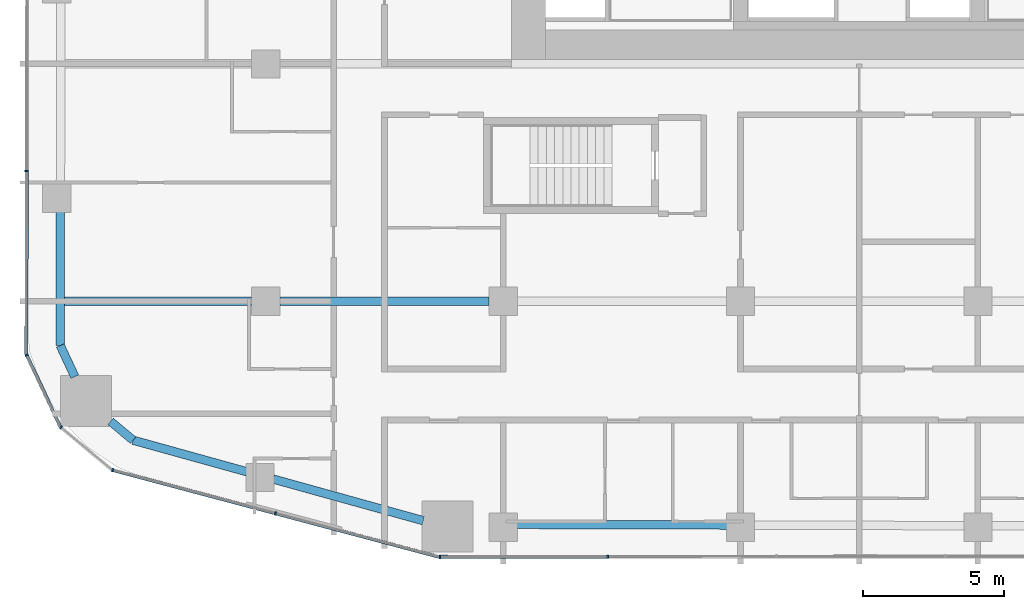
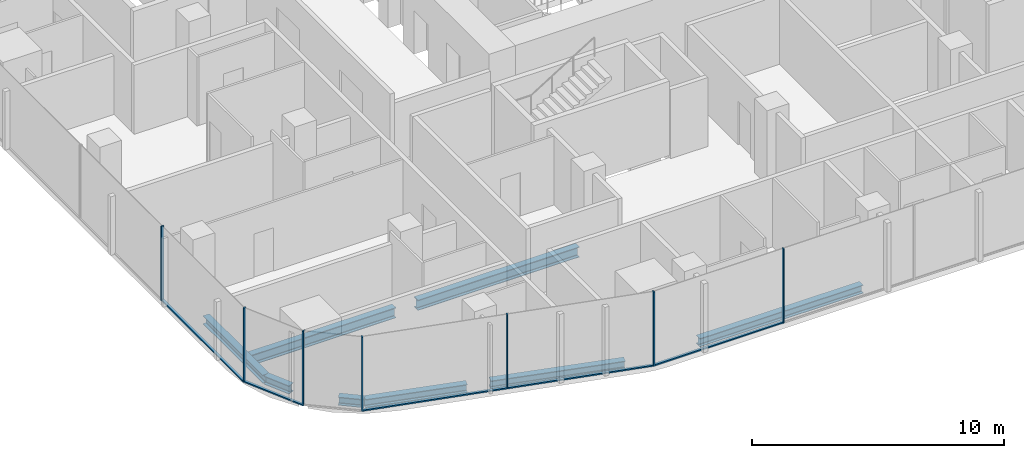
# One storey, part 2 of 26: 12 members, 8 beams, 5 elements without a shape of their own.
"""IFC4 building model written with IfcOpenShell, lengths in metres."""

from ifc_helpers import new_model, si_unit, direction, frame, origin, origin_2d, place, context, subcontext, project, spatial, rectangle, i_section, extrude, material, layer, layer_set, material_profile, profile_set, type_object, element, aggregate, save


model = new_model("IFC4")

# Units and contexts
model_context = context("Model", 3, precision=1e-05, world=origin(), true_north=direction((0.0, 1.0)))
body_context = subcontext(model_context, "Body", "Model", "MODEL_VIEW")
ifc_project = project(units=[si_unit("LENGTHUNIT", "METRE"), si_unit("AREAUNIT", "SQUARE_METRE"), si_unit("VOLUMEUNIT", "CUBIC_METRE"), si_unit("PLANEANGLEUNIT", "RADIAN"), si_unit("MASSUNIT", "GRAM", prefix="KILO")], contexts=[model_context])

# Site, building, storey
site_placement = place(None, origin())
site = spatial("IfcSite", under=ifc_project, at=site_placement, CompositionType="ELEMENT")
building_placement = place(site_placement, origin())
building = spatial("IfcBuilding", under=site, at=building_placement, Name="Marenta Gate Hotel Tower", CompositionType="ELEMENT")
storey_placement = place(building_placement, frame((0.0, 0.0, 65.300048828125)))
storey = spatial("IfcBuildingStorey", under=building, at=storey_placement, Name="L14", CompositionType="ELEMENT", Elevation=65.300048828125)

# Beams
ifc_material_1 = material(Name="Steel S355", Category="steel")
ifc_material_profile_1 = material_profile(ifc_material_1, i_section(OverallWidth=0.300048828125, OverallDepth=0.39990234375, WebThickness=0.013427734375, FlangeThickness=0.02392578125, FilletRadius=0.027099609375, at=origin_2d()), Name="HEB 400")
ifc_profile_set_1 = profile_set([ifc_material_profile_1], Name="Steel S355")
beam_type_1 = type_object("IfcBeamType", Name="Edge beam HEB 400", PredefinedType="SPANDREL", material=ifc_profile_set_1)
beam_1_placement = place(storey_placement, frame((-15.427734375, -16.166748046875, -0.4599609375), z_axis=(-0.963623684238, 0.267262782998, 0.0), x_axis=(-0.267262782998, -0.963623684238, 0.0)))
element("IfcBeam", 1, at=beam_1_placement, inside=storey, type_object=beam_type_1, Name="L14-EB-1", PredefinedType="SPANDREL", context=body_context, shape_type="SweptSolid", body=[
    extrude(i_section(OverallWidth=0.300048828125, OverallDepth=0.39990234375, WebThickness=0.013427734375, FlangeThickness=0.02392578125, FilletRadius=0.027099609375, at=origin_2d()), origin(), (0.0, 0.0, 1.0), 5.518310546875),
])
beam_2_placement = place(storey_placement, frame((-21.668212890625, -14.43603515625, -0.4599609375), z_axis=(-0.963617403201, 0.267285428426, 0.0), x_axis=(-0.267285428426, -0.963617403201, 0.0)))
element("IfcBeam", 2, at=beam_2_placement, inside=storey, type_object=beam_type_1, Name="L14-EB-2", PredefinedType="SPANDREL", context=body_context, shape_type="SweptSolid", body=[
    extrude(i_section(OverallWidth=0.300048828125, OverallDepth=0.39990234375, WebThickness=0.013427734375, FlangeThickness=0.02392578125, FilletRadius=0.027099609375, at=origin_2d()), origin(), (0.0, 0.0, 1.0), 4.1806640625),
])
beam_3_placement = place(storey_placement, frame((-25.69677734375, -13.318603515625, -0.4599609375), z_axis=(-0.767179911534, 0.641431978731, 0.0), x_axis=(-0.641431978731, -0.767179911534, 0.0)))
element("IfcBeam", 3, at=beam_3_placement, inside=storey, type_object=beam_type_1, Name="L14-EB-3", PredefinedType="SPANDREL", context=body_context, shape_type="SweptSolid", body=[
    extrude(i_section(OverallWidth=0.300048828125, OverallDepth=0.39990234375, WebThickness=0.013427734375, FlangeThickness=0.02392578125, FilletRadius=0.027099609375, at=origin_2d()), origin(), (0.0, 0.0, 1.0), 1.038818359375),
])
beam_4_placement = place(storey_placement, frame((-27.76025390625, -11.0693359375, -0.4599609375), z_axis=(-0.423291965192, 0.905993329006, 0.0), x_axis=(-0.905993329006, -0.423291965192, 0.0)))
element("IfcBeam", 4, at=beam_4_placement, inside=storey, type_object=beam_type_1, Name="L14-EB-4", PredefinedType="SPANDREL", context=body_context, shape_type="SweptSolid", body=[
    extrude(i_section(OverallWidth=0.300048828125, OverallDepth=0.39990234375, WebThickness=0.013427734375, FlangeThickness=0.02392578125, FilletRadius=0.027099609375, at=origin_2d()), origin(), (0.0, 0.0, 1.0), 1.21630859375),
])
beam_5_placement = place(storey_placement, frame((-28.275146484375, -9.96728515625, -0.4599609375), z_axis=(0.001386177947, 0.999999039255, 0.0), x_axis=(-0.999999039255, 0.001386177947, 0.0)))
element("IfcBeam", 5, at=beam_5_placement, inside=storey, type_object=beam_type_1, Name="L14-EB-5", PredefinedType="SPANDREL", context=body_context, shape_type="SweptSolid", body=[
    extrude(i_section(OverallWidth=0.300048828125, OverallDepth=0.39990234375, WebThickness=0.013427734375, FlangeThickness=0.02392578125, FilletRadius=0.027099609375, at=origin_2d()), origin(), (0.0, 0.0, 1.0), 4.75537109375),
])
beam_6_placement = place(storey_placement, frame((-4.659912109375, -16.31982421875, -0.4599609375), z_axis=(-0.999996151562, 0.002774321851, 0.0), x_axis=(-0.002774321851, -0.999996151562, 0.0)))
element("IfcBeam", 6, at=beam_6_placement, inside=storey, type_object=beam_type_1, Name="L14-EB-34", PredefinedType="SPANDREL", context=body_context, shape_type="SweptSolid", body=[
    extrude(i_section(OverallWidth=0.300048828125, OverallDepth=0.39990234375, WebThickness=0.013427734375, FlangeThickness=0.02392578125, FilletRadius=0.027099609375, at=origin_2d()), origin(), (0.0, 0.0, 1.0), 7.47998046875),
])
ifc_material_2 = material(Name="Steel S355", Category="steel")
ifc_material_profile_2 = material_profile(ifc_material_2, i_section(OverallWidth=0.300048828125, OverallDepth=0.5, WebThickness=0.014404296875, FlangeThickness=0.028076171875, FilletRadius=0.027099609375, at=origin_2d()), Name="HEB 500")
ifc_profile_set_2 = profile_set([ifc_material_profile_2], Name="Steel S355")
beam_type_2 = type_object("IfcBeamType", Name="Girder HEB 500", PredefinedType="BEAM", material=ifc_profile_set_2)
beam_7_placement = place(storey_placement, frame((-28.123046875, -8.39990234375, -0.510009765625), z_axis=(1.0, 0.0, 0.0), x_axis=(0.0, 1.0, 0.0)))
element("IfcBeam", 7, at=beam_7_placement, inside=storey, type_object=beam_type_2, Name="L14-GD-1", PredefinedType="BEAM", context=body_context, shape_type="SweptSolid", body=[
    extrude(i_section(OverallWidth=0.300048828125, OverallDepth=0.5, WebThickness=0.014404296875, FlangeThickness=0.028076171875, FilletRadius=0.027099609375, at=origin_2d()), origin(), (0.0, 0.0, 1.0), 6.623046875),
])
beam_8_placement = place(storey_placement, frame((-20.5, -8.39990234375, -0.510009765625), z_axis=(1.0, 0.0, 0.0), x_axis=(0.0, 1.0, 0.0)))
element("IfcBeam", 8, at=beam_8_placement, inside=storey, type_object=beam_type_2, Name="L14-GD-2", PredefinedType="BEAM", context=body_context, shape_type="SweptSolid", body=[
    extrude(i_section(OverallWidth=0.300048828125, OverallDepth=0.5, WebThickness=0.014404296875, FlangeThickness=0.028076171875, FilletRadius=0.027099609375, at=origin_2d()), origin(), (0.0, 0.0, 1.0), 7.39990234375),
])

# Curtain wall, member
ifc_material_3 = material(Name="Tinted insulated glass in bronze anodised frame", Category="glass")
ifc_layer = layer(ifc_material_3, 0.1201171875)
ifc_layer_set = layer_set([ifc_layer], Name="Tinted insulated glass in bronze anodised frame")
curtain_wall_type = type_object("IfcCurtainWallType", Name="Tower unitised curtain wall CW1", PredefinedType="NOTDEFINED", material=ifc_layer_set)
curtain_wall_1_placement = place(storey_placement, origin())
curtain_wall_1 = element("IfcCurtainWall", 9, at=curtain_wall_1_placement, inside=storey, type_object=curtain_wall_type, Name="CW1 run G03", PredefinedType="NOTDEFINED")
ifc_material_4 = material(Name="Bronze anodised aluminium", Category="aluminium")
ifc_material_profile_3 = material_profile(ifc_material_4, rectangle(XDim=0.1201171875, YDim=0.06005859375, at=origin_2d()), Name="Mullion CW1 60x120 bronze anodised aluminium")
ifc_profile_set_3 = profile_set([ifc_material_profile_3], Name="Bronze anodised aluminium")
member_type_1 = type_object("IfcMemberType", Name="Mullion CW1 60x120 bronze anodised aluminium", PredefinedType="MULLION", material=ifc_profile_set_3)
member_1_placement = place(storey_placement, frame((-29.463134765625, -3.78564453125, 0.0), z_axis=(0.0, 0.0, 1.0), x_axis=(0.99999877316, -0.00156642217, 0.0)))
member_1 = element("IfcMember", 10, at=member_1_placement, type_object=member_type_1, Name="CW1 mullion 6", PredefinedType="MULLION", context=body_context, shape_type="SweptSolid", body=[
    extrude(rectangle(XDim=0.1201171875, YDim=0.06005859375, at=origin_2d()), origin(), (0.0, 0.0, 1.0), 3.599853515625),
])

curtain_wall_2_placement = place(storey_placement, origin())
curtain_wall_2 = element("IfcCurtainWall", 11, at=curtain_wall_2_placement, inside=storey, type_object=curtain_wall_type, Name="CW1 run G04", PredefinedType="NOTDEFINED")
member_2_placement = place(storey_placement, frame((-29.460693359375, -10.30322265625, 0.0), z_axis=(0.0, 0.0, 1.0), x_axis=(0.905970129167, 0.423341617441, 0.0)))
member_2 = element("IfcMember", 12, at=member_2_placement, type_object=member_type_1, Name="CW1 mullion 1", PredefinedType="MULLION", context=body_context, shape_type="SweptSolid", body=[
    extrude(rectangle(XDim=0.1201171875, YDim=0.06005859375, at=origin_2d()), origin(), (0.0, 0.0, 1.0), 3.599853515625),
])

curtain_wall_3_placement = place(storey_placement, origin())
curtain_wall_3 = element("IfcCurtainWall", 13, at=curtain_wall_3_placement, inside=storey, type_object=curtain_wall_type, Name="CW1 run G05", PredefinedType="NOTDEFINED")
member_3_placement = place(storey_placement, frame((-28.25146484375, -12.86083984375, 0.0), z_axis=(0.0, 0.0, 1.0), x_axis=(0.641511984407, 0.767113012445, 0.0)))
member_3 = element("IfcMember", 14, at=member_3_placement, type_object=member_type_1, Name="CW1 mullion 1", PredefinedType="MULLION", context=body_context, shape_type="SweptSolid", body=[
    extrude(rectangle(XDim=0.1201171875, YDim=0.06005859375, at=origin_2d()), origin(), (0.0, 0.0, 1.0), 3.599853515625),
])
aggregate(curtain_wall_3, [member_3])

# Curtain wall, members
curtain_wall_4_placement = place(storey_placement, origin())
curtain_wall_4 = element("IfcCurtainWall", 15, at=curtain_wall_4_placement, inside=storey, type_object=curtain_wall_type, Name="CW1 run G06", PredefinedType="NOTDEFINED")
member_4_placement = place(storey_placement, frame((-26.42236328125, -14.3740234375, 0.0), z_axis=(0.0, 0.0, 1.0), x_axis=(0.257141675823, 0.966373715782, 0.0)))
member_4 = element("IfcMember", 16, at=member_4_placement, type_object=member_type_1, Name="CW1 mullion 1", PredefinedType="MULLION", context=body_context, shape_type="SweptSolid", body=[
    extrude(rectangle(XDim=0.1201171875, YDim=0.06005859375, at=origin_2d()), origin(), (0.0, 0.0, 1.0), 3.599853515625),
])
member_5_placement = place(storey_placement, frame((-20.660888671875, -15.906982421875, 0.0), z_axis=(0.0, 0.0, 1.0), x_axis=(0.257141675823, 0.966373715782, 0.0)))
member_5 = element("IfcMember", 17, at=member_5_placement, type_object=member_type_1, Name="CW1 mullion 2", PredefinedType="MULLION", context=body_context, shape_type="SweptSolid", body=[
    extrude(rectangle(XDim=0.1201171875, YDim=0.06005859375, at=origin_2d()), origin(), (0.0, 0.0, 1.0), 3.599853515625),
])

curtain_wall_5_placement = place(storey_placement, origin())
curtain_wall_5 = element("IfcCurtainWall", 18, at=curtain_wall_5_placement, inside=storey, type_object=curtain_wall_type, Name="CW1 run G07", PredefinedType="NOTDEFINED")
member_6_placement = place(storey_placement, frame((-14.840576171875, -17.44775390625, 0.0), z_axis=(0.0, 0.0, 1.0), x_axis=(-0.001161921639, 0.999999324969, 0.0)))
member_6 = element("IfcMember", 19, at=member_6_placement, type_object=member_type_1, Name="CW1 mullion 1", PredefinedType="MULLION", context=body_context, shape_type="SweptSolid", body=[
    extrude(rectangle(XDim=0.1201171875, YDim=0.06005859375, at=origin_2d()), origin(), (0.0, 0.0, 1.0), 3.599853515625),
])
member_7_placement = place(storey_placement, frame((-8.897705078125, -17.44091796875, 0.0), z_axis=(0.0, 0.0, 1.0), x_axis=(-0.001161921639, 0.999999324969, 0.0)))
member_7 = element("IfcMember", 20, at=member_7_placement, type_object=member_type_1, Name="CW1 mullion 2", PredefinedType="MULLION", context=body_context, shape_type="SweptSolid", body=[
    extrude(rectangle(XDim=0.1201171875, YDim=0.06005859375, at=origin_2d()), origin(), (0.0, 0.0, 1.0), 3.599853515625),
])

# Member
ifc_material_5 = material(Name="Bronze anodised aluminium", Category="aluminium")
ifc_material_profile_4 = material_profile(ifc_material_5, rectangle(XDim=0.1201171875, YDim=0.06005859375, at=origin_2d()), Name="Transom CW1 60x120 bronze anodised aluminium")
ifc_profile_set_4 = profile_set([ifc_material_profile_4], Name="Bronze anodised aluminium")
member_type_2 = type_object("IfcMemberType", Name="Transom CW1 60x120 bronze anodised aluminium", PredefinedType="USERDEFINED", material=ifc_profile_set_4)
member_8_placement = place(storey_placement, frame((-29.463134765625, -3.815673828125, 0.030029296875), z_axis=(-0.001587239601, -0.999998740334, 0.0), x_axis=(0.999998740334, -0.001587239601, 0.0)))
member_8 = element("IfcMember", 21, at=member_8_placement, type_object=member_type_2, Name="CW1 transom 6.1", ObjectType="TRANSOM", PredefinedType="USERDEFINED", context=body_context, shape_type="SweptSolid", body=[
    extrude(rectangle(XDim=0.1201171875, YDim=0.06005859375, at=origin_2d()), origin(), (0.0, 0.0, 1.0), 6.460205078125),
])

aggregate(curtain_wall_1, [member_1, member_8])

member_9_placement = place(storey_placement, frame((-29.447998046875, -10.330322265625, 0.030029296875), z_axis=(0.423348255175, -0.905967027457, 0.0), x_axis=(0.905967027457, 0.423348255175, 0.0)))
member_9 = element("IfcMember", 22, at=member_9_placement, type_object=member_type_2, Name="CW1 transom 1.1", ObjectType="TRANSOM", PredefinedType="USERDEFINED", context=body_context, shape_type="SweptSolid", body=[
    extrude(rectangle(XDim=0.1201171875, YDim=0.06005859375, at=origin_2d()), origin(), (0.0, 0.0, 1.0), 2.772216796875),
])

aggregate(curtain_wall_2, [member_2, member_9])

member_10_placement = place(storey_placement, frame((-26.393310546875, -14.3818359375, 0.030029296875), z_axis=(0.966374861095, -0.257137371541, 0.0), x_axis=(0.257137371541, 0.966374861095, 0.0)))
member_10 = element("IfcMember", 23, at=member_10_placement, type_object=member_type_2, Name="CW1 transom 1.1", ObjectType="TRANSOM", PredefinedType="USERDEFINED", context=body_context, shape_type="SweptSolid", body=[
    extrude(rectangle(XDim=0.1201171875, YDim=0.06005859375, at=origin_2d()), origin(), (0.0, 0.0, 1.0), 5.90185546875),
])

member_11_placement = place(storey_placement, frame((-20.632080078125, -15.914794921875, 0.030029296875), z_axis=(0.966378199773, -0.25712482378, 0.0), x_axis=(0.25712482378, 0.966378199773, 0.0)))
member_11 = element("IfcMember", 24, at=member_11_placement, type_object=member_type_2, Name="CW1 transom 2.1", ObjectType="TRANSOM", PredefinedType="USERDEFINED", context=body_context, shape_type="SweptSolid", body=[
    extrude(rectangle(XDim=0.1201171875, YDim=0.06005859375, at=origin_2d()), origin(), (0.0, 0.0, 1.0), 5.9619140625),
])

aggregate(curtain_wall_4, [member_4, member_5, member_10, member_11])

member_12_placement = place(storey_placement, frame((-14.810546875, -17.44775390625, 0.030029296875), z_axis=(0.999999324857, 0.001162017808, 0.0), x_axis=(-0.001162017808, 0.999999324857, 0.0)))
member_12 = element("IfcMember", 25, at=member_12_placement, type_object=member_type_2, Name="CW1 transom 1.1", ObjectType="TRANSOM", PredefinedType="USERDEFINED", context=body_context, shape_type="SweptSolid", body=[
    extrude(rectangle(XDim=0.1201171875, YDim=0.06005859375, at=origin_2d()), origin(), (0.0, 0.0, 1.0), 5.8828125),
])

aggregate(curtain_wall_5, [member_6, member_7, member_12])

save(model, "model.ifc")
